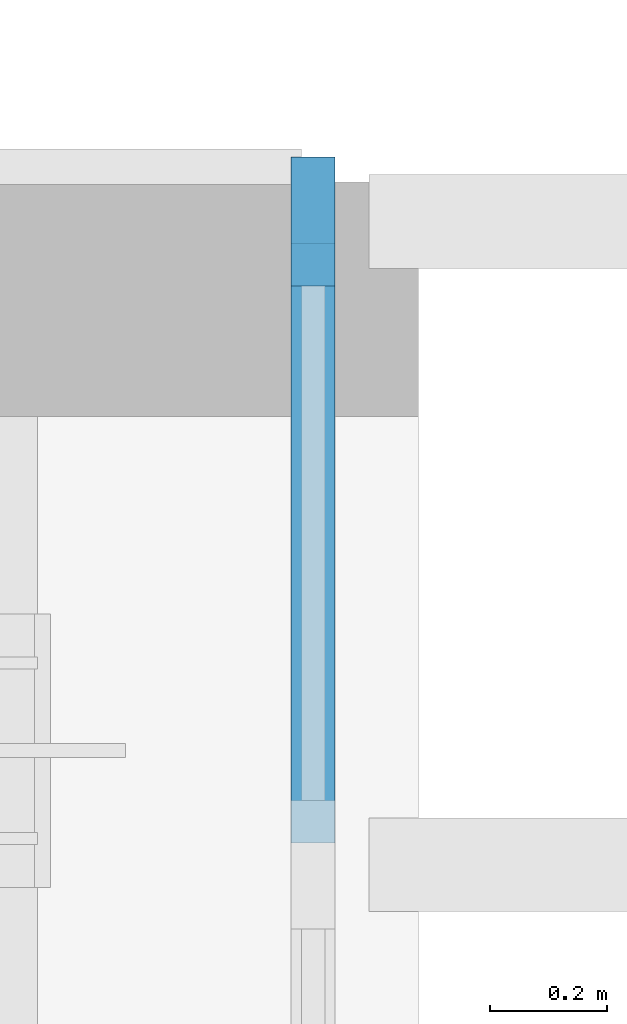
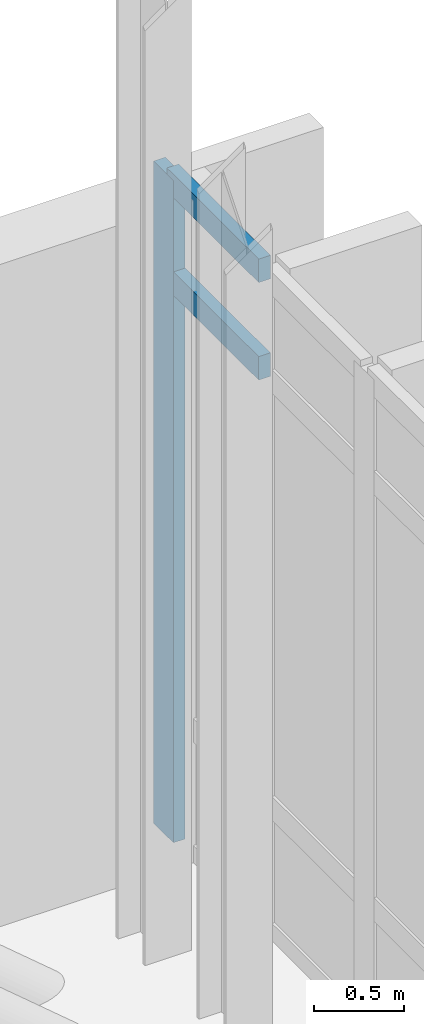
# One storey, part 35 of 73: 3 members, 1 element without a shape of its own.
"""IFC4 building model written with IfcOpenShell, lengths in metres."""

from ifc_helpers import new_model, si_unit, direction, frame, origin, origin_2d, place, context, subcontext, project, spatial, rectangle, extrude, material, layer, layer_set, material_profile, profile_set, type_object, element, aggregate, save


model = new_model("IFC4")

# Units and contexts
model_context = context("Model", 3, precision=1e-05, world=origin(), true_north=direction((0.0, 1.0)))
body_context = subcontext(model_context, "Body", "Model", "MODEL_VIEW")
ifc_project = project(units=[si_unit("LENGTHUNIT", "METRE"), si_unit("AREAUNIT", "SQUARE_METRE"), si_unit("VOLUMEUNIT", "CUBIC_METRE"), si_unit("PLANEANGLEUNIT", "RADIAN"), si_unit("MASSUNIT", "GRAM", prefix="KILO")], contexts=[model_context])

# Site, building, storey
site_placement = place(None, origin())
site = spatial("IfcSite", under=ifc_project, at=site_placement, CompositionType="ELEMENT")
building_placement = place(site_placement, origin())
building = spatial("IfcBuilding", under=site, at=building_placement, Name="Kelarvand Opera House", CompositionType="ELEMENT")
storey_placement = place(building_placement, frame((0.0, 0.0, 10.199951171875)))
storey = spatial("IfcBuildingStorey", under=building, at=storey_placement, Name="L02", CompositionType="ELEMENT", Elevation=10.199951171875)

# Curtain wall, members
ifc_material_1 = material(Name="Thermally broken aluminium and low-E glazing", Category="aluminium")
ifc_layer = layer(ifc_material_1, 0.219970703125, Name="Thermally broken aluminium and low-E glazing", Category="aluminium")
ifc_layer_set = layer_set([ifc_layer], Name="Thermally broken aluminium and low-E glazing")
curtain_wall_type = type_object("IfcCurtainWallType", Name="Unitised Low-E Curtain Wall 15886x4500 Mod 1150 CWF-06", PredefinedType="USERDEFINED", material=ifc_layer_set)
curtain_wall_placement = place(storey_placement, origin())
curtain_wall = element("IfcCurtainWall", 1, at=curtain_wall_placement, inside=storey, type_object=curtain_wall_type, Name="V1 L02 Curtain Wall CWF-06 (17)", ObjectType="UNITISED CURTAIN WALL", PredefinedType="USERDEFINED")
ifc_material_2 = material(Name="Thermally broken anodised aluminium", Category="aluminium")
ifc_material_profile_1 = material_profile(ifc_material_2, rectangle(XDim=0.074951171875, YDim=0.219970703125, at=origin_2d()), Name="ALU MULLION 75x220", Category="aluminium")
ifc_profile_set_1 = profile_set([ifc_material_profile_1], Name="Thermally broken anodised aluminium")
member_type_1 = type_object("IfcMemberType", Name="Curtain Wall Mullion 75x220 Heavy Plaza", PredefinedType="MULLION", material=ifc_profile_set_1)
member_1_placement = place(storey_placement, frame((154.820068359375, 78.3525390625, 0.0), z_axis=(0.0, 0.0, 1.0), x_axis=(1.0, 0.0, 0.0)))
member_1 = element("IfcMember", 2, at=member_1_placement, type_object=member_type_1, Name="CWF-06 mullion 1", PredefinedType="MULLION", context=body_context, shape_type="SweptSolid", body=[
    extrude(rectangle(XDim=0.074951171875, YDim=0.219970703125, at=origin_2d()), origin(), (0.0, 0.0, 1.0), 4.5),
])
ifc_material_profile_2 = material_profile(ifc_material_2, rectangle(XDim=0.074951171875, YDim=0.159912109375, at=origin_2d()), Name="ALU TRANSOM 75x160", Category="aluminium")
ifc_profile_set_2 = profile_set([ifc_material_profile_2], Name="Thermally broken anodised aluminium")
member_type_2 = type_object("IfcMemberType", Name="Curtain Wall Transom 75x160 Heavy Plaza", PredefinedType="USERDEFINED", material=ifc_profile_set_2)
member_2_placement = place(storey_placement, frame((154.820068359375, 78.31494140625, 3.800048828125), z_axis=(0.0, -1.0, 0.0), x_axis=(1.0, 0.0, 0.0)))
member_2 = element("IfcMember", 3, at=member_2_placement, type_object=member_type_2, Name="CWF-06 transom 1.3", ObjectType="TRANSOM", PredefinedType="USERDEFINED", context=body_context, shape_type="SweptSolid", body=[
    extrude(rectangle(XDim=0.074951171875, YDim=0.159912109375, at=origin_2d()), origin(), (0.0, 0.0, 1.0), 1.022216796875),
])
member_3_placement = place(storey_placement, frame((154.820068359375, 78.31494140625, 4.462646484375), z_axis=(0.0, -1.0, 0.0), x_axis=(1.0, 0.0, 0.0)))
member_3 = element("IfcMember", 4, at=member_3_placement, type_object=member_type_2, Name="CWF-06 transom 1.4", ObjectType="TRANSOM", PredefinedType="USERDEFINED", context=body_context, shape_type="SweptSolid", body=[
    extrude(rectangle(XDim=0.074951171875, YDim=0.159912109375, at=origin_2d()), origin(), (0.0, 0.0, 1.0), 1.022216796875),
])
aggregate(curtain_wall, [member_1, member_2, member_3])

save(model, "model.ifc")
